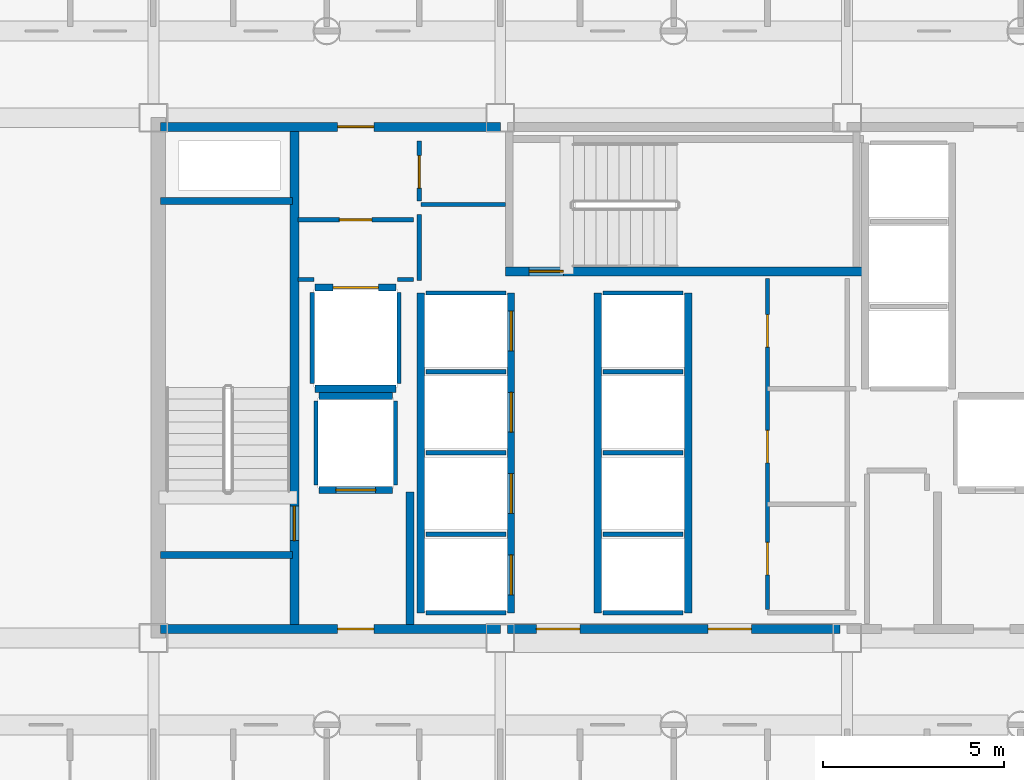
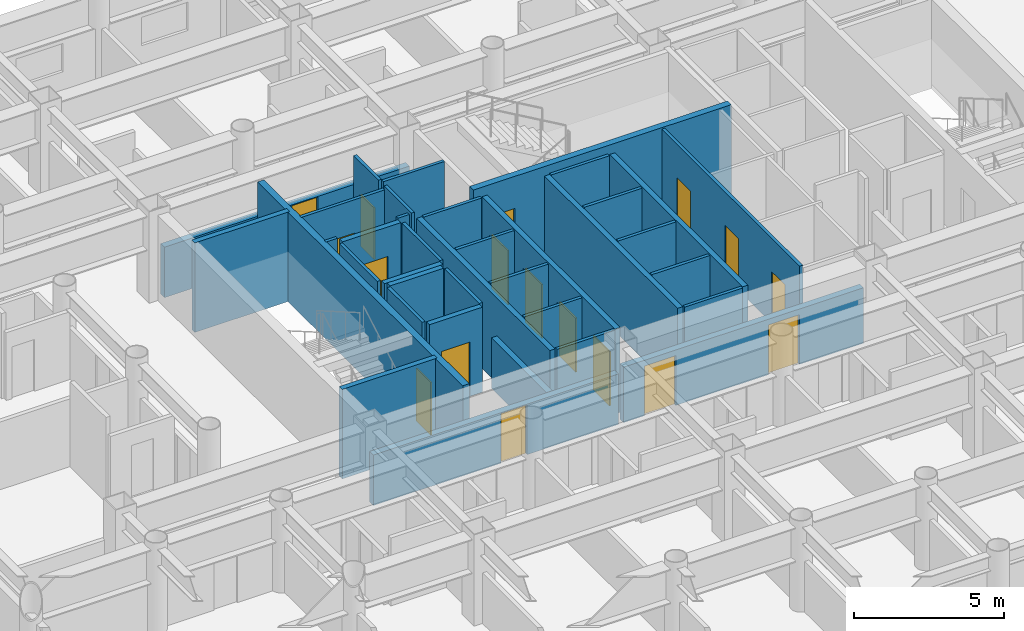
# One storey, part 16 of 21: 37 walls, 17 doors, 17 openings.
"""IFC4 building model written with IfcOpenShell, lengths in metres."""

from ifc_helpers import new_model, si_unit, direction, frame, frame_2d, origin, place, context, subcontext, project, spatial, rectangle, extrude, material, layer, layer_set, type_object, element, fill, save


model = new_model("IFC4")

# Units and contexts
model_context = context("Model", 3, precision=1e-05, world=origin(), true_north=direction((0.0, 1.0)))
body_context = subcontext(model_context, "Body", "Model", "MODEL_VIEW")
ifc_project = project(units=[si_unit("LENGTHUNIT", "METRE"), si_unit("AREAUNIT", "SQUARE_METRE"), si_unit("VOLUMEUNIT", "CUBIC_METRE"), si_unit("PLANEANGLEUNIT", "RADIAN"), si_unit("MASSUNIT", "GRAM", prefix="KILO")], contexts=[model_context])

# Site, building, storey
site_placement = place(None, origin())
site = spatial("IfcSite", under=ifc_project, at=site_placement, CompositionType="ELEMENT")
building_placement = place(site_placement, origin())
building = spatial("IfcBuilding", under=site, at=building_placement, Name="Kallvorn Hotel Tower", CompositionType="ELEMENT")
storey_placement = place(building_placement, frame((0.0, 0.0, 85.5)))
storey = spatial("IfcBuildingStorey", under=building, at=storey_placement, Name="L20", CompositionType="ELEMENT", Elevation=85.5)

# Walls
ifc_material_1 = material(Name="Concrete C40/50", Category="concrete")
ifc_layer_1 = layer(ifc_material_1, 0.219970703125)
ifc_layer_set_1 = layer_set([ifc_layer_1], Name="WL_FFL_220")
wall_type_1 = type_object("IfcWallType", Name="WL_FFL_220", PredefinedType="SOLIDWALL", material=ifc_layer_set_1)
wall_1_placement = place(storey_placement, frame((-7.300048828125, -6.820068359375, 0.0), z_axis=(0.0, 0.0, 1.0), x_axis=(0.0, 1.0, 0.0)))
element("IfcWall", 1, at=wall_1_placement, inside=storey, type_object=wall_type_1, Name="L20 Firefighting Lobby West Divider Wall", PredefinedType="SOLIDWALL", context=body_context, shape_type="SweptSolid", body=[
    extrude(rectangle(XDim=3.670166015625, YDim=0.219970703125, at=frame_2d((1.8349609375, 0.0))), origin(), (0.0, 0.0, 1.0), 2.050048828125),
])
ifc_material_2 = material(Name="Concrete C40/50", Category="concrete")
ifc_layer_2 = layer(ifc_material_2, 0.199951171875)
ifc_layer_set_2 = layer_set([ifc_layer_2], Name="WL_HOIST_200")
wall_type_2 = type_object("IfcWallType", Name="WL_HOIST_200", PredefinedType="SOLIDWALL", material=ifc_layer_set_2)
for number, where, z_axis, x_axis, name in (
    (2, (-14.199951171875, -4.89990234375, -0.179931640625), (0.0, 0.0, 1.0), (1.0, 0.0, 0.0), "L20 Stair ST1 South Wall"),
    (3, (-14.199951171875, 4.89990234375, -0.179931640625), (0.0, 0.0, 1.0), (1.0, 0.0, 0.0), "L20 Stair ST1 North Wall"),
):
    element("IfcWall", number, at=place(storey_placement, frame(where, z_axis=z_axis, x_axis=x_axis)), inside=storey, type_object=wall_type_2, Name=name, PredefinedType="SOLIDWALL", context=body_context, shape_type="SweptSolid", body=[
        extrude(rectangle(XDim=3.64990234375, YDim=0.199951171875, at=frame_2d((1.824951171875, 0.0))), origin(), (0.0, 0.0, 1.0), 3.6298828125),
    ])

# Wall, openings, doors
wall_2_placement = place(storey_placement, frame((-4.5, -6.5, 0.0), z_axis=(0.0, 0.0, 1.0), x_axis=(0.0, 1.0, 0.0)))
wall_2 = element("IfcWall", 4, at=wall_2_placement, inside=storey, type_object=wall_type_2, Name="L20 Lift Bank B1 Landing Wall", PredefinedType="SOLIDWALL", context=body_context, shape_type="SweptSolid", body=[
    extrude(rectangle(XDim=8.85009765625, YDim=0.199951171875, at=frame_2d((4.425048828125, 0.0))), origin(), (0.0, 0.0, 1.0), 3.449951171875),
])
opening_1_placement = place(wall_2_placement, frame((0.5, 0.0, 0.0)))
opening_1 = element("IfcOpeningElement", 5, at=opening_1_placement, cuts=wall_2, Name="Opening LD-PL-01", PredefinedType="OPENING", context=body_context, shape_type="SweptSolid", body=[
    extrude(rectangle(XDim=1.10009765625, YDim=2.199951171875, at=frame_2d((0.550048828125, 1.10009765625))), frame((0.0, 0.114990234375, 0.0), z_axis=(0.0, -1.0, 0.0), x_axis=(1.0, 0.0, 0.0)), (0.0, 0.0, 1.0), 0.22998046875),
])
opening_2_placement = place(wall_2_placement, frame((2.75, 0.0, 0.0)))
opening_2 = element("IfcOpeningElement", 6, at=opening_2_placement, cuts=wall_2, Name="Opening LD-PL-02", PredefinedType="OPENING", context=body_context, shape_type="SweptSolid", body=[
    extrude(rectangle(XDim=1.10009765625, YDim=2.199951171875, at=frame_2d((0.550048828125, 1.10009765625))), frame((0.0, 0.114990234375, 0.0), z_axis=(0.0, -1.0, 0.0), x_axis=(1.0, 0.0, 0.0)), (0.0, 0.0, 1.0), 0.22998046875),
])
opening_3_placement = place(wall_2_placement, frame((5.0, 0.0, 0.0)))
opening_3 = element("IfcOpeningElement", 7, at=opening_3_placement, cuts=wall_2, Name="Opening LD-PL-03", PredefinedType="OPENING", context=body_context, shape_type="SweptSolid", body=[
    extrude(rectangle(XDim=1.10009765625, YDim=2.199951171875, at=frame_2d((0.550048828125, 1.10009765625))), frame((0.0, 0.114990234375, 0.0), z_axis=(0.0, -1.0, 0.0), x_axis=(1.0, 0.0, 0.0)), (0.0, 0.0, 1.0), 0.22998046875),
])
opening_4_placement = place(wall_2_placement, frame((7.25, 0.0, 0.0)))
opening_4 = element("IfcOpeningElement", 8, at=opening_4_placement, cuts=wall_2, Name="Opening LD-PL-04", PredefinedType="OPENING", context=body_context, shape_type="SweptSolid", body=[
    extrude(rectangle(XDim=1.10009765625, YDim=2.199951171875, at=frame_2d((0.550048828125, 1.10009765625))), frame((0.0, 0.114990234375, 0.0), z_axis=(0.0, -1.0, 0.0), x_axis=(1.0, 0.0, 0.0)), (0.0, 0.0, 1.0), 0.22998046875),
])
ifc_material_3 = material(Name="Brushed stainless-steel automatic sliding lift landing door", Category="steel")
door_type_1 = type_object("IfcDoorType", Name="LD_PASS_1100x2200", OperationType="SLIDING_TO_LEFT", PredefinedType="DOOR", material=ifc_material_3)
door_1_placement = place(opening_1_placement, origin())
door_1 = element("IfcDoor", 9, at=door_1_placement, inside=storey, type_object=door_type_1, Name="L20 Lift Landing Sliding Door LD-PL-01", OperationType="SLIDING_TO_LEFT", OverallHeight=2.199951171875, OverallWidth=1.10009765625, PredefinedType="DOOR", context=body_context, shape_type="SweptSolid", body=[
    extrude(rectangle(XDim=1.10009765625, YDim=2.199951171875, at=frame_2d((0.550048828125, 1.10009765625))), frame((0.0, 0.02490234375, 0.0), z_axis=(0.0, -1.0, 0.0), x_axis=(1.0, 0.0, 0.0)), (0.0, 0.0, 1.0), 0.050048828125),
])
fill(opening_1, door_1)
door_2_placement = place(opening_2_placement, origin())
door_2 = element("IfcDoor", 10, at=door_2_placement, inside=storey, type_object=door_type_1, Name="L20 Lift Landing Sliding Door LD-PL-02", OperationType="SLIDING_TO_LEFT", OverallHeight=2.199951171875, OverallWidth=1.10009765625, PredefinedType="DOOR", context=body_context, shape_type="SweptSolid", body=[
    extrude(rectangle(XDim=1.10009765625, YDim=2.199951171875, at=frame_2d((0.550048828125, 1.10009765625))), frame((0.0, 0.02490234375, 0.0), z_axis=(0.0, -1.0, 0.0), x_axis=(1.0, 0.0, 0.0)), (0.0, 0.0, 1.0), 0.050048828125),
])
fill(opening_2, door_2)
door_3_placement = place(opening_3_placement, origin())
door_3 = element("IfcDoor", 11, at=door_3_placement, inside=storey, type_object=door_type_1, Name="L20 Lift Landing Sliding Door LD-PL-03", OperationType="SLIDING_TO_LEFT", OverallHeight=2.199951171875, OverallWidth=1.10009765625, PredefinedType="DOOR", context=body_context, shape_type="SweptSolid", body=[
    extrude(rectangle(XDim=1.10009765625, YDim=2.199951171875, at=frame_2d((0.550048828125, 1.10009765625))), frame((0.0, 0.02490234375, 0.0), z_axis=(0.0, -1.0, 0.0), x_axis=(1.0, 0.0, 0.0)), (0.0, 0.0, 1.0), 0.050048828125),
])
fill(opening_3, door_3)
door_4_placement = place(opening_4_placement, origin())
door_4 = element("IfcDoor", 12, at=door_4_placement, inside=storey, type_object=door_type_1, Name="L20 Lift Landing Sliding Door LD-PL-04", OperationType="SLIDING_TO_LEFT", OverallHeight=2.199951171875, OverallWidth=1.10009765625, PredefinedType="DOOR", context=body_context, shape_type="SweptSolid", body=[
    extrude(rectangle(XDim=1.10009765625, YDim=2.199951171875, at=frame_2d((0.550048828125, 1.10009765625))), frame((0.0, 0.02490234375, 0.0), z_axis=(0.0, -1.0, 0.0), x_axis=(1.0, 0.0, 0.0)), (0.0, 0.0, 1.0), 0.050048828125),
])
fill(opening_4, door_4)

# Walls
for number, where, z_axis, x_axis, name in (
    (13, (-7.0, -6.5, 0.0), (0.0, 0.0, 1.0), (0.0, 1.0, 0.0), "L20 Lift Bank B1 Rear Shaft Wall"),
    (14, (-2.10009765625, -6.5, 0.0), (0.0, 0.0, 1.0), (0.0, 1.0, 0.0), "L20 Lift Bank B2 Landing Wall"),
    (15, (0.39990234375, -6.5, 0.0), (0.0, 0.0, 1.0), (0.0, 1.0, 0.0), "L20 Lift Bank B2 Rear Shaft Wall"),
):
    element("IfcWall", number, at=place(storey_placement, frame(where, z_axis=z_axis, x_axis=x_axis)), inside=storey, type_object=wall_type_2, Name=name, PredefinedType="SOLIDWALL", context=body_context, shape_type="SweptSolid", body=[
        extrude(rectangle(XDim=8.85009765625, YDim=0.199951171875, at=frame_2d((4.425048828125, 0.0))), origin(), (0.0, 0.0, 1.0), 3.449951171875),
    ])

# Wall, opening, door
wall_3_placement = place(storey_placement, frame((-9.820068359375, -3.10009765625, 0.0), z_axis=(0.0, 0.0, 1.0), x_axis=(1.0, 0.0, 0.0)))
wall_3 = element("IfcWall", 16, at=wall_3_placement, inside=storey, type_object=wall_type_2, Name="L20 FL-1 Landing Wall", PredefinedType="SOLIDWALL", context=body_context, shape_type="SweptSolid", body=[
    extrude(rectangle(XDim=2.0400390625, YDim=0.199951171875, at=frame_2d((1.02001953125, 0.0))), origin(), (0.0, 0.0, 1.0), 3.449951171875),
])
opening_5_placement = place(wall_3_placement, frame((0.469970703125, 0.0, 0.0)))
opening_5 = element("IfcOpeningElement", 17, at=opening_5_placement, cuts=wall_3, Name="Opening LD-FL-1", PredefinedType="OPENING", context=body_context, shape_type="SweptSolid", body=[
    extrude(rectangle(XDim=1.10009765625, YDim=2.199951171875, at=frame_2d((0.550048828125, 1.10009765625))), frame((0.0, 0.114990234375, 0.0), z_axis=(0.0, -1.0, 0.0), x_axis=(1.0, 0.0, 0.0)), (0.0, 0.0, 1.0), 0.22998046875),
])
door_5_placement = place(opening_5_placement, origin())
door_5 = element("IfcDoor", 18, at=door_5_placement, inside=storey, type_object=door_type_1, Name="L20 Lift Landing Sliding Door LD-FL-1", OperationType="SLIDING_TO_LEFT", OverallHeight=2.199951171875, OverallWidth=1.10009765625, PredefinedType="DOOR", context=body_context, shape_type="SweptSolid", body=[
    extrude(rectangle(XDim=1.10009765625, YDim=2.199951171875, at=frame_2d((0.550048828125, 1.10009765625))), frame((0.0, 0.02490234375, 0.0), z_axis=(0.0, -1.0, 0.0), x_axis=(1.0, 0.0, 0.0)), (0.0, 0.0, 1.0), 0.050048828125),
])
fill(opening_5, door_5)

# Wall
wall_4_placement = place(storey_placement, frame((-9.820068359375, -0.5, 0.0), z_axis=(0.0, 0.0, 1.0), x_axis=(1.0, 0.0, 0.0)))
element("IfcWall", 19, at=wall_4_placement, inside=storey, type_object=wall_type_2, Name="L20 FL-1 Rear Shaft Wall", PredefinedType="SOLIDWALL", context=body_context, shape_type="SweptSolid", body=[
    extrude(rectangle(XDim=2.0400390625, YDim=0.199951171875, at=frame_2d((1.02001953125, 0.0))), origin(), (0.0, 0.0, 1.0), 3.449951171875),
])

# Wall, opening, door
wall_5_placement = place(storey_placement, frame((-9.919921875, 2.5, 0.0), z_axis=(0.0, 0.0, 1.0), x_axis=(1.0, 0.0, 0.0)))
wall_5 = element("IfcWall", 20, at=wall_5_placement, inside=storey, type_object=wall_type_2, Name="L20 SV-01 Landing Wall", PredefinedType="SOLIDWALL", context=body_context, shape_type="SweptSolid", body=[
    extrude(rectangle(XDim=2.239990234375, YDim=0.199951171875, at=frame_2d((1.1201171875, 0.0))), origin(), (0.0, 0.0, 1.0), 3.449951171875),
])
opening_6_placement = place(wall_5_placement, frame((0.4951171875, 0.0, 0.0)))
opening_6 = element("IfcOpeningElement", 21, at=opening_6_placement, cuts=wall_5, Name="Opening LD-SV-01", PredefinedType="OPENING", context=body_context, shape_type="SweptSolid", body=[
    extrude(rectangle(XDim=1.25, YDim=2.25, at=frame_2d((0.625, 1.125))), frame((0.0, 0.114990234375, 0.0), z_axis=(0.0, -1.0, 0.0), x_axis=(1.0, 0.0, 0.0)), (0.0, 0.0, 1.0), 0.22998046875),
])
ifc_material_4 = material(Name="Brushed stainless-steel automatic sliding lift landing door", Category="steel")
door_type_2 = type_object("IfcDoorType", Name="LD_SERV_1250x2250", OperationType="SLIDING_TO_LEFT", PredefinedType="DOOR", material=ifc_material_4)
door_6_placement = place(opening_6_placement, origin())
door_6 = element("IfcDoor", 22, at=door_6_placement, inside=storey, type_object=door_type_2, Name="L20 Lift Landing Sliding Door LD-SV-01", OperationType="SLIDING_TO_LEFT", OverallHeight=2.25, OverallWidth=1.25, PredefinedType="DOOR", context=body_context, shape_type="SweptSolid", body=[
    extrude(rectangle(XDim=1.25, YDim=2.25, at=frame_2d((0.625, 1.125))), frame((0.0, 0.02490234375, 0.0), z_axis=(0.0, -1.0, 0.0), x_axis=(1.0, 0.0, 0.0)), (0.0, 0.0, 1.0), 0.050048828125),
])
fill(opening_6, door_6)

# Walls
wall_6_placement = place(storey_placement, frame((-9.919921875, -0.300048828125, 0.0), z_axis=(0.0, 0.0, 1.0), x_axis=(1.0, 0.0, 0.0)))
element("IfcWall", 23, at=wall_6_placement, inside=storey, type_object=wall_type_2, Name="L20 SV-01 Rear Shaft Wall", PredefinedType="SOLIDWALL", context=body_context, shape_type="SweptSolid", body=[
    extrude(rectangle(XDim=2.239990234375, YDim=0.199951171875, at=frame_2d((1.1201171875, 0.0))), origin(), (0.0, 0.0, 1.0), 3.449951171875),
])
ifc_material_5 = material(Name="Fire-rated double-layer acoustic gypsum drywall EI 60")
ifc_layer_3 = layer(ifc_material_5, 0.1201171875)
ifc_layer_set_3 = layer_set([ifc_layer_3], Name="WL_INT_120")
wall_type_3 = type_object("IfcWallType", Name="WL_INT_120", PredefinedType="PARTITIONING", material=ifc_layer_set_3)
for number, where, z_axis, x_axis, name in (
    (24, (-6.860107421875, -6.5, 0.0), (0.0, 0.0, 1.0), (1.0, 0.0, 0.0), "L20 Lift Bank B1 South Closure Wall"),
    (25, (-6.860107421875, -4.324951171875, 0.0), (0.0, 0.0, 1.0), (1.0, 0.0, 0.0), "L20 PL-01 Hoistway Divider"),
    (26, (-6.860107421875, -2.074951171875, 0.0), (0.0, 0.0, 1.0), (1.0, 0.0, 0.0), "L20 PL-02 Hoistway Divider"),
    (27, (-6.860107421875, 0.175048828125, 0.0), (0.0, 0.0, 1.0), (1.0, 0.0, 0.0), "L20 PL-03 Hoistway Divider"),
    (28, (-6.860107421875, 2.35009765625, 0.0), (0.0, 0.0, 1.0), (1.0, 0.0, 0.0), "L20 PL-04 Hoistway Divider"),
):
    element("IfcWall", number, at=place(storey_placement, frame(where, z_axis=z_axis, x_axis=x_axis)), inside=storey, type_object=wall_type_3, Name=name, PredefinedType="PARTITIONING", context=body_context, shape_type="SweptSolid", body=[
        extrude(rectangle(XDim=2.22021484375, YDim=0.1201171875, at=frame_2d((1.110107421875, 0.0))), origin(), (0.0, 0.0, 1.0), 3.449951171875),
    ])
for number, where, z_axis, x_axis, name in (
    (29, (-1.9599609375, -6.5, 0.0), (0.0, 0.0, 1.0), (1.0, 0.0, 0.0), "L20 Lift Bank B2 South Closure Wall"),
    (30, (-1.9599609375, -4.324951171875, 0.0), (0.0, 0.0, 1.0), (1.0, 0.0, 0.0), "L20 PL-05 Hoistway Divider"),
    (31, (-1.9599609375, -2.074951171875, 0.0), (0.0, 0.0, 1.0), (1.0, 0.0, 0.0), "L20 PL-06 Hoistway Divider"),
    (32, (-1.9599609375, 0.175048828125, 0.0), (0.0, 0.0, 1.0), (1.0, 0.0, 0.0), "L20 PL-07 Hoistway Divider"),
    (33, (-1.9599609375, 2.35009765625, 0.0), (0.0, 0.0, 1.0), (1.0, 0.0, 0.0), "L20 PL-08 Hoistway Divider"),
):
    element("IfcWall", number, at=place(storey_placement, frame(where, z_axis=z_axis, x_axis=x_axis)), inside=storey, type_object=wall_type_3, Name=name, PredefinedType="PARTITIONING", context=body_context, shape_type="SweptSolid", body=[
        extrude(rectangle(XDim=2.219970703125, YDim=0.1201171875, at=frame_2d((1.10986328125, 0.0))), origin(), (0.0, 0.0, 1.0), 3.449951171875),
    ])
for number, where, z_axis, x_axis, name in (
    (34, (-9.89990234375, -2.9599609375, 0.0), (0.0, 0.0, 1.0), (0.0, 1.0, 0.0), "L20 FL-1 West Shaft Wall"),
    (35, (-7.699951171875, -2.9599609375, 0.0), (0.0, 0.0, 1.0), (0.0, 1.0, 0.0), "L20 FL-1 East Shaft Wall"),
):
    element("IfcWall", number, at=place(storey_placement, frame(where, z_axis=z_axis, x_axis=x_axis)), inside=storey, type_object=wall_type_3, Name=name, PredefinedType="PARTITIONING", context=body_context, shape_type="SweptSolid", body=[
        extrude(rectangle(XDim=2.320068359375, YDim=0.1201171875, at=frame_2d((1.16015625, 0.0))), origin(), (0.0, 0.0, 1.0), 3.449951171875),
    ])
for number, where, z_axis, x_axis, name in (
    (36, (-10.0, -0.159912109375, 0.0), (0.0, 0.0, 1.0), (0.0, 1.0, 0.0), "L20 SV-01 West Shaft Wall"),
    (37, (-7.60009765625, -0.159912109375, 0.0), (0.0, 0.0, 1.0), (0.0, 1.0, 0.0), "L20 SV-01 East Shaft Wall"),
):
    element("IfcWall", number, at=place(storey_placement, frame(where, z_axis=z_axis, x_axis=x_axis)), inside=storey, type_object=wall_type_3, Name=name, PredefinedType="PARTITIONING", context=body_context, shape_type="SweptSolid", body=[
        extrude(rectangle(XDim=2.52001953125, YDim=0.1201171875, at=frame_2d((1.260009765625, 0.0))), origin(), (0.0, 0.0, 1.0), 3.449951171875),
    ])
for number, where, z_axis, x_axis, name in (
    (38, (-10.39990234375, 2.72509765625, 0.0), (0.0, 0.0, 1.0), (1.0, 0.0, 0.0), "L20 Core Telecom and Metering Store Partition"),
    (39, (-7.639892578125, 2.72509765625, 0.0), (0.0, 0.0, 1.0), (1.0, 0.0, 0.0), "L20 Core Telecom and Metering Store Partition"),
):
    element("IfcWall", number, at=place(storey_placement, frame(where, z_axis=z_axis, x_axis=x_axis)), inside=storey, type_object=wall_type_3, Name=name, PredefinedType="PARTITIONING", context=body_context, shape_type="SweptSolid", body=[
        extrude(rectangle(XDim=0.43994140625, YDim=0.1201171875, at=frame_2d((0.219970703125, 0.0))), origin(), (0.0, 0.0, 1.0), 3.449951171875),
    ])

# Wall, opening, door
wall_7_placement = place(storey_placement, frame((-10.39990234375, 4.373291015625, 0.0), z_axis=(0.0, 0.0, 1.0), x_axis=(1.0, 0.0, 0.0)))
wall_7 = element("IfcWall", 40, at=wall_7_placement, inside=storey, type_object=wall_type_3, Name="L20 Core Telecom and Metering Store Partition", PredefinedType="PARTITIONING", context=body_context, shape_type="SweptSolid", body=[
    extrude(rectangle(XDim=3.199951171875, YDim=0.1201171875, at=frame_2d((1.60009765625, 0.0))), origin(), (0.0, 0.0, 1.0), 3.449951171875),
])
opening_7_placement = place(wall_7_placement, frame((1.14990234375, 0.0, 0.0)))
opening_7 = element("IfcOpeningElement", 41, at=opening_7_placement, cuts=wall_7, Name="Opening SVD1", PredefinedType="OPENING", context=body_context, shape_type="SweptSolid", body=[
    extrude(rectangle(XDim=0.89990234375, YDim=2.10009765625, at=frame_2d((0.449951171875, 1.050048828125))), frame((0.0, 0.074951171875, 0.0), z_axis=(0.0, -1.0, 0.0), x_axis=(1.0, 0.0, 0.0)), (0.0, 0.0, 1.0), 0.150146484375),
])
ifc_material_6 = material(Name="Galvanised painted steel fire-rated door assembly", Category="steel")
door_type_3 = type_object("IfcDoorType", Name="DR_SERV_900x2100", OperationType="NOTDEFINED", PredefinedType="DOOR", material=ifc_material_6)
door_7_placement = place(opening_7_placement, origin())
door_7 = element("IfcDoor", 42, at=door_7_placement, inside=storey, type_object=door_type_3, Name="L20 Core Telecom and Metering Store Door", OperationType="SINGLE_SWING_RIGHT", OverallHeight=2.10009765625, OverallWidth=0.89990234375, PredefinedType="DOOR", context=body_context, shape_type="SweptSolid", body=[
    extrude(rectangle(XDim=0.89990234375, YDim=2.10009765625, at=frame_2d((0.449951171875, 1.050048828125))), frame((0.0, 0.02490234375, 0.0), z_axis=(0.0, -1.0, 0.0), x_axis=(1.0, 0.0, 0.0)), (0.0, 0.0, 1.0), 0.050048828125),
])
fill(opening_7, door_7)

# Walls
wall_8_placement = place(storey_placement, frame((-7.0, 4.800048828125, 0.0), z_axis=(0.0, 0.0, 1.0), x_axis=(1.0, 0.0, 0.0)))
element("IfcWall", 43, at=wall_8_placement, inside=storey, type_object=wall_type_3, Name="L20 Core Room Service Staging Pantry Partition", PredefinedType="PARTITIONING", context=body_context, shape_type="SweptSolid", body=[
    extrude(rectangle(XDim=2.35009765625, YDim=0.1201171875, at=frame_2d((1.175048828125, 0.0))), origin(), (0.0, 0.0, 1.0), 3.449951171875),
])
wall_9_placement = place(storey_placement, frame((-7.0400390625, 2.699951171875, 0.0), z_axis=(0.0, 0.0, 1.0), x_axis=(0.0, 1.0, 0.0)))
element("IfcWall", 44, at=wall_9_placement, inside=storey, type_object=wall_type_3, Name="L20 Core Telecom and Metering Store Partition", PredefinedType="PARTITIONING", context=body_context, shape_type="SweptSolid", body=[
    extrude(rectangle(XDim=1.820068359375, YDim=0.1201171875, at=frame_2d((0.91015625, 0.0))), origin(), (0.0, 0.0, 1.0), 3.449951171875),
])

# Wall, opening, door
wall_10_placement = place(storey_placement, frame((-7.0400390625, 4.89990234375, 0.0), z_axis=(0.0, 0.0, 1.0), x_axis=(0.0, 1.0, 0.0)))
wall_10 = element("IfcWall", 45, at=wall_10_placement, inside=storey, type_object=wall_type_3, Name="L20 Core Room Service Staging Pantry Partition", PredefinedType="PARTITIONING", context=body_context, shape_type="SweptSolid", body=[
    extrude(rectangle(XDim=1.650146484375, YDim=0.1201171875, at=frame_2d((0.8251953125, 0.0))), origin(), (0.0, 0.0, 1.0), 3.449951171875),
])
opening_8_placement = place(wall_10_placement, frame((0.35009765625, 0.0, 0.0)))
opening_8 = element("IfcOpeningElement", 46, at=opening_8_placement, cuts=wall_10, Name="Opening SVD1", PredefinedType="OPENING", context=body_context, shape_type="SweptSolid", body=[
    extrude(rectangle(XDim=0.89990234375, YDim=2.10009765625, at=frame_2d((0.449951171875, 1.050048828125))), frame((0.0, 0.074951171875, 0.0), z_axis=(0.0, -1.0, 0.0), x_axis=(1.0, 0.0, 0.0)), (0.0, 0.0, 1.0), 0.150146484375),
])
door_8_placement = place(opening_8_placement, origin())
door_8 = element("IfcDoor", 47, at=door_8_placement, inside=storey, type_object=door_type_3, Name="L20 Core Room Service Staging Pantry Door", OperationType="SINGLE_SWING_RIGHT", OverallHeight=2.10009765625, OverallWidth=0.89990234375, PredefinedType="DOOR", context=body_context, shape_type="SweptSolid", body=[
    extrude(rectangle(XDim=0.89990234375, YDim=2.10009765625, at=frame_2d((0.449951171875, 1.050048828125))), frame((0.0, 0.02490234375, 0.0), z_axis=(0.0, -1.0, 0.0), x_axis=(1.0, 0.0, 0.0)), (0.0, 0.0, 1.0), 0.050048828125),
])
fill(opening_8, door_8)

# Wall, openings, doors
wall_11_placement = place(storey_placement, frame((2.59423828125, -6.4150390625, 0.0), z_axis=(0.0, 0.0, 1.0), x_axis=(0.0, 1.0, 0.0)))
wall_11 = element("IfcWall", 48, at=wall_11_placement, inside=storey, type_object=wall_type_3, Name="L20 East Core Minibar Store Partition", PredefinedType="PARTITIONING", context=body_context, shape_type="SweptSolid", body=[
    extrude(rectangle(XDim=9.1650390625, YDim=0.1201171875, at=frame_2d((4.58251953125, 0.0))), origin(), (0.0, 0.0, 1.0), 3.449951171875),
])
opening_9_placement = place(wall_11_placement, frame((0.965087890625, 0.0, 0.0)))
opening_9 = element("IfcOpeningElement", 49, at=opening_9_placement, cuts=wall_11, Name="Opening SVD1", PredefinedType="OPENING", context=body_context, shape_type="SweptSolid", body=[
    extrude(rectangle(XDim=0.89990234375, YDim=2.10009765625, at=frame_2d((0.449951171875, 1.050048828125))), frame((0.0, 0.074951171875, 0.0), z_axis=(0.0, -1.0, 0.0), x_axis=(1.0, 0.0, 0.0)), (0.0, 0.0, 1.0), 0.150146484375),
])
opening_10_placement = place(wall_11_placement, frame((4.06494140625, 0.0, 0.0)))
opening_10 = element("IfcOpeningElement", 50, at=opening_10_placement, cuts=wall_11, Name="Opening SVD1", PredefinedType="OPENING", context=body_context, shape_type="SweptSolid", body=[
    extrude(rectangle(XDim=0.89990234375, YDim=2.10009765625, at=frame_2d((0.449951171875, 1.050048828125))), frame((0.0, 0.074951171875, 0.0), z_axis=(0.0, -1.0, 0.0), x_axis=(1.0, 0.0, 0.0)), (0.0, 0.0, 1.0), 0.150146484375),
])
opening_11_placement = place(wall_11_placement, frame((7.264892578125, 0.0, 0.0)))
opening_11 = element("IfcOpeningElement", 51, at=opening_11_placement, cuts=wall_11, Name="Opening SVD1", PredefinedType="OPENING", context=body_context, shape_type="SweptSolid", body=[
    extrude(rectangle(XDim=0.89990234375, YDim=2.10009765625, at=frame_2d((0.449951171875, 1.050048828125))), frame((0.0, 0.074951171875, 0.0), z_axis=(0.0, -1.0, 0.0), x_axis=(1.0, 0.0, 0.0)), (0.0, 0.0, 1.0), 0.150146484375),
])
door_9_placement = place(opening_9_placement, origin())
door_9 = element("IfcDoor", 52, at=door_9_placement, inside=storey, type_object=door_type_3, Name="L20 East Core Minibar Store Door", OperationType="SINGLE_SWING_RIGHT", OverallHeight=2.10009765625, OverallWidth=0.89990234375, PredefinedType="DOOR", context=body_context, shape_type="SweptSolid", body=[
    extrude(rectangle(XDim=0.89990234375, YDim=2.10009765625, at=frame_2d((0.449951171875, 1.050048828125))), frame((0.0, 0.02490234375, 0.0), z_axis=(0.0, -1.0, 0.0), x_axis=(1.0, 0.0, 0.0)), (0.0, 0.0, 1.0), 0.050048828125),
])
fill(opening_9, door_9)
door_10_placement = place(opening_10_placement, origin())
door_10 = element("IfcDoor", 53, at=door_10_placement, inside=storey, type_object=door_type_3, Name="L20 East Core Housekeeping Supply Closet Door", OperationType="SINGLE_SWING_LEFT", OverallHeight=2.10009765625, OverallWidth=0.89990234375, PredefinedType="DOOR", context=body_context, shape_type="SweptSolid", body=[
    extrude(rectangle(XDim=0.89990234375, YDim=2.10009765625, at=frame_2d((0.449951171875, 1.050048828125))), frame((0.0, 0.02490234375, 0.0), z_axis=(0.0, -1.0, 0.0), x_axis=(1.0, 0.0, 0.0)), (0.0, 0.0, 1.0), 0.050048828125),
])
fill(opening_10, door_10)
door_11_placement = place(opening_11_placement, origin())
door_11 = element("IfcDoor", 54, at=door_11_placement, inside=storey, type_object=door_type_3, Name="L20 East Core Cleaners Room Door", OperationType="SINGLE_SWING_LEFT", OverallHeight=2.10009765625, OverallWidth=0.89990234375, PredefinedType="DOOR", context=body_context, shape_type="SweptSolid", body=[
    extrude(rectangle(XDim=0.89990234375, YDim=2.10009765625, at=frame_2d((0.449951171875, 1.050048828125))), frame((0.0, 0.02490234375, 0.0), z_axis=(0.0, -1.0, 0.0), x_axis=(1.0, 0.0, 0.0)), (0.0, 0.0, 1.0), 0.050048828125),
])
fill(opening_11, door_11)

# Wall, opening, door
ifc_material_7 = material(Name="Concrete C40/50", Category="concrete")
ifc_layer_4 = layer(ifc_material_7, 0.25)
ifc_layer_set_4 = layer_set([ifc_layer_4], Name="WL_SHAFT_250")
wall_type_4 = type_object("IfcWallType", Name="WL_SHAFT_250", PredefinedType="SOLIDWALL", material=ifc_layer_set_4)
wall_12_placement = place(storey_placement, frame((-14.199951171875, -6.949951171875, 0.0), z_axis=(0.0, 0.0, 1.0), x_axis=(1.0, 0.0, 0.0)))
wall_12 = element("IfcWall", 55, at=wall_12_placement, inside=storey, type_object=wall_type_4, Name="L20 Core South-West Wall", PredefinedType="SOLIDWALL", context=body_context, shape_type="SweptSolid", body=[
    extrude(rectangle(XDim=9.39990234375, YDim=0.25, at=frame_2d((4.699951171875, 0.0))), origin(), (0.0, 0.0, 1.0), 2.050048828125),
])
opening_12_placement = place(wall_12_placement, frame((4.89990234375, 0.0, 0.0)))
opening_12 = element("IfcOpeningElement", 56, at=opening_12_placement, cuts=wall_12, Name="Opening FD1A", PredefinedType="OPENING", context=body_context, shape_type="SweptSolid", body=[
    extrude(rectangle(XDim=1.0, YDim=2.02001953125, at=frame_2d((0.5, 1.010009765625))), frame((0.0, 0.139892578125, 0.0), z_axis=(0.0, -1.0, 0.0), x_axis=(1.0, 0.0, 0.0)), (0.0, 0.0, 1.0), 0.280029296875),
])
ifc_material_8 = material(Name="Galvanised painted steel fire-rated door assembly", Category="steel")
door_type_4 = type_object("IfcDoorType", Name="DR_FFL_1000x2020", OperationType="NOTDEFINED", PredefinedType="DOOR", material=ifc_material_8)
door_12_placement = place(opening_12_placement, origin())
door_12 = element("IfcDoor", 57, at=door_12_placement, inside=storey, type_object=door_type_4, Name="L20 Firefighting Lobby West Door", OperationType="SINGLE_SWING_LEFT", OverallHeight=2.02001953125, OverallWidth=1.0, PredefinedType="DOOR", context=body_context, shape_type="SweptSolid", body=[
    extrude(rectangle(XDim=1.0, YDim=2.02001953125, at=frame_2d((0.5, 1.010009765625))), frame((0.0, 0.02490234375, 0.0), z_axis=(0.0, -1.0, 0.0), x_axis=(1.0, 0.0, 0.0)), (0.0, 0.0, 1.0), 0.050048828125),
])
fill(opening_12, door_12)

# Wall, openings, doors
wall_13_placement = place(storey_placement, frame((-4.60009765625, -6.949951171875, 0.0), z_axis=(0.0, 0.0, 1.0), x_axis=(1.0, 0.0, 0.0)))
wall_13 = element("IfcWall", 58, at=wall_13_placement, inside=storey, type_object=wall_type_4, Name="L20 Core South-Central Wall", PredefinedType="SOLIDWALL", context=body_context, shape_type="SweptSolid", body=[
    extrude(rectangle(XDim=9.2001953125, YDim=0.25, at=frame_2d((4.60009765625, 0.0))), origin(), (0.0, 0.0, 1.0), 2.25),
])
opening_13_placement = place(wall_13_placement, frame((0.800048828125, 0.0, 0.0)))
opening_13 = element("IfcOpeningElement", 59, at=opening_13_placement, cuts=wall_13, Name="Opening FD2A", PredefinedType="OPENING", context=body_context, shape_type="SweptSolid", body=[
    extrude(rectangle(XDim=1.199951171875, YDim=2.02001953125, at=frame_2d((0.60009765625, 1.010009765625))), frame((0.0, 0.139892578125, 0.0), z_axis=(0.0, -1.0, 0.0), x_axis=(1.0, 0.0, 0.0)), (0.0, 0.0, 1.0), 0.280029296875),
])
opening_14_placement = place(wall_13_placement, frame((5.550048828125, 0.0, 0.0)))
opening_14 = element("IfcOpeningElement", 60, at=opening_14_placement, cuts=wall_13, Name="Opening FD2A", PredefinedType="OPENING", context=body_context, shape_type="SweptSolid", body=[
    extrude(rectangle(XDim=1.199951171875, YDim=2.02001953125, at=frame_2d((0.60009765625, 1.010009765625))), frame((0.0, 0.139892578125, 0.0), z_axis=(0.0, -1.0, 0.0), x_axis=(1.0, 0.0, 0.0)), (0.0, 0.0, 1.0), 0.280029296875),
])
ifc_material_9 = material(Name="Galvanised painted steel fire-rated door assembly", Category="steel")
door_type_5 = type_object("IfcDoorType", Name="DR_LOBBY_1200x2020", OperationType="DOUBLE_DOOR_SINGLE_SWING", PredefinedType="DOOR", material=ifc_material_9)
door_13_placement = place(opening_13_placement, origin())
door_13 = element("IfcDoor", 61, at=door_13_placement, inside=storey, type_object=door_type_5, Name="L20 West Passenger Lift Lobby Door", OperationType="DOUBLE_DOOR_SINGLE_SWING", OverallHeight=2.02001953125, OverallWidth=1.199951171875, PredefinedType="DOOR", context=body_context, shape_type="SweptSolid", body=[
    extrude(rectangle(XDim=1.199951171875, YDim=2.02001953125, at=frame_2d((0.60009765625, 1.010009765625))), frame((0.0, 0.02490234375, 0.0), z_axis=(0.0, -1.0, 0.0), x_axis=(1.0, 0.0, 0.0)), (0.0, 0.0, 1.0), 0.050048828125),
])
fill(opening_13, door_13)
door_14_placement = place(opening_14_placement, origin())
door_14 = element("IfcDoor", 62, at=door_14_placement, inside=storey, type_object=door_type_5, Name="L20 East Passenger Lift Lobby Door", OperationType="DOUBLE_DOOR_SINGLE_SWING", OverallHeight=2.02001953125, OverallWidth=1.199951171875, PredefinedType="DOOR", context=body_context, shape_type="SweptSolid", body=[
    extrude(rectangle(XDim=1.199951171875, YDim=2.02001953125, at=frame_2d((0.60009765625, 1.010009765625))), frame((0.0, 0.02490234375, 0.0), z_axis=(0.0, -1.0, 0.0), x_axis=(1.0, 0.0, 0.0)), (0.0, 0.0, 1.0), 0.050048828125),
])
fill(opening_14, door_14)

# Wall, opening, door
wall_14_placement = place(storey_placement, frame((-14.199951171875, 6.949951171875, 0.0), z_axis=(0.0, 0.0, 1.0), x_axis=(1.0, 0.0, 0.0)))
wall_14 = element("IfcWall", 63, at=wall_14_placement, inside=storey, type_object=wall_type_4, Name="L20 Core North-West Wall", PredefinedType="SOLIDWALL", context=body_context, shape_type="SweptSolid", body=[
    extrude(rectangle(XDim=9.39990234375, YDim=0.25, at=frame_2d((4.699951171875, 0.0))), origin(), (0.0, 0.0, 1.0), 2.050048828125),
])
opening_15_placement = place(wall_14_placement, frame((4.89990234375, 0.0, 0.0)))
opening_15 = element("IfcOpeningElement", 64, at=opening_15_placement, cuts=wall_14, Name="Opening FD1A", PredefinedType="OPENING", context=body_context, shape_type="SweptSolid", body=[
    extrude(rectangle(XDim=1.0, YDim=2.02001953125, at=frame_2d((0.5, 1.010009765625))), frame((0.0, 0.139892578125, 0.0), z_axis=(0.0, -1.0, 0.0), x_axis=(1.0, 0.0, 0.0)), (0.0, 0.0, 1.0), 0.280029296875),
])
door_15_placement = place(opening_15_placement, origin())
door_15 = element("IfcDoor", 65, at=door_15_placement, inside=storey, type_object=door_type_4, Name="L20 Service Lift Lobby Door", OperationType="SINGLE_SWING_RIGHT", OverallHeight=2.02001953125, OverallWidth=1.0, PredefinedType="DOOR", context=body_context, shape_type="SweptSolid", body=[
    extrude(rectangle(XDim=1.0, YDim=2.02001953125, at=frame_2d((0.5, 1.010009765625))), frame((0.0, 0.02490234375, 0.0), z_axis=(0.0, -1.0, 0.0), x_axis=(1.0, 0.0, 0.0)), (0.0, 0.0, 1.0), 0.050048828125),
])
fill(opening_15, door_15)

wall_15_placement = place(storey_placement, frame((-10.5, -6.820068359375, -0.179931640625), z_axis=(0.0, 0.0, 1.0), x_axis=(0.0, 1.0, 0.0)))
wall_15 = element("IfcWall", 66, at=wall_15_placement, inside=storey, type_object=wall_type_4, Name="L20 Stair ST1 Shaft Wall", PredefinedType="SOLIDWALL", context=body_context, shape_type="SweptSolid", body=[
    extrude(rectangle(XDim=13.64013671875, YDim=0.25, at=frame_2d((6.820068359375, 0.0))), origin(), (0.0, 0.0, 1.0), 3.6298828125),
])
opening_16_placement = place(wall_15_placement, frame((2.320068359375, 0.0, 0.179931640625)))
opening_16 = element("IfcOpeningElement", 67, at=opening_16_placement, cuts=wall_15, Name="Opening SD1", PredefinedType="OPENING", context=body_context, shape_type="SweptSolid", body=[
    extrude(rectangle(XDim=0.949951171875, YDim=2.14990234375, at=frame_2d((0.47509765625, 1.074951171875))), frame((0.0, 0.139892578125, 0.0), z_axis=(0.0, -1.0, 0.0), x_axis=(1.0, 0.0, 0.0)), (0.0, 0.0, 1.0), 0.280029296875),
])
ifc_material_10 = material(Name="Galvanised painted steel fire-rated door assembly", Category="steel")
door_type_6 = type_object("IfcDoorType", Name="DR_STAIR_950x2150", OperationType="NOTDEFINED", PredefinedType="DOOR", material=ifc_material_10)
door_16_placement = place(opening_16_placement, origin())
door_16 = element("IfcDoor", 68, at=door_16_placement, inside=storey, type_object=door_type_6, Name="L20 Exit Stair ST1 Fire Door", OperationType="SINGLE_SWING_RIGHT", OverallHeight=2.14990234375, OverallWidth=0.949951171875, PredefinedType="DOOR", context=body_context, shape_type="SweptSolid", body=[
    extrude(rectangle(XDim=0.949951171875, YDim=2.14990234375, at=frame_2d((0.47509765625, 1.074951171875))), frame((0.0, 0.02490234375, 0.0), z_axis=(0.0, -1.0, 0.0), x_axis=(1.0, 0.0, 0.0)), (0.0, 0.0, 1.0), 0.050048828125),
])
fill(opening_16, door_16)

wall_16_placement = place(storey_placement, frame((-4.64990234375, 2.949951171875, -0.179931640625), z_axis=(0.0, 0.0, 1.0), x_axis=(1.0, 0.0, 0.0)))
wall_16 = element("IfcWall", 69, at=wall_16_placement, inside=storey, type_object=wall_type_4, Name="L20 Stair ST3 Shaft South Wall", PredefinedType="SOLIDWALL", context=body_context, shape_type="SweptSolid", body=[
    extrude(rectangle(XDim=9.89990234375, YDim=0.25, at=frame_2d((4.949951171875, 0.0))), origin(), (0.0, 0.0, 1.0), 3.6298828125),
])
opening_17_placement = place(wall_16_placement, frame((0.64990234375, 0.0, 0.179931640625)))
opening_17 = element("IfcOpeningElement", 70, at=opening_17_placement, cuts=wall_16, Name="Opening SD1", PredefinedType="OPENING", context=body_context, shape_type="SweptSolid", body=[
    extrude(rectangle(XDim=0.949951171875, YDim=2.14990234375, at=frame_2d((0.47509765625, 1.074951171875))), frame((0.0, 0.139892578125, 0.0), z_axis=(0.0, -1.0, 0.0), x_axis=(1.0, 0.0, 0.0)), (0.0, 0.0, 1.0), 0.280029296875),
])
door_17_placement = place(opening_17_placement, origin())
door_17 = element("IfcDoor", 71, at=door_17_placement, inside=storey, type_object=door_type_6, Name="L20 Exit Stair ST3 Fire Door", OperationType="SINGLE_SWING_RIGHT", OverallHeight=2.14990234375, OverallWidth=0.949951171875, PredefinedType="DOOR", context=body_context, shape_type="SweptSolid", body=[
    extrude(rectangle(XDim=0.949951171875, YDim=2.14990234375, at=frame_2d((0.47509765625, 1.074951171875))), frame((0.0, 0.02490234375, 0.0), z_axis=(0.0, -1.0, 0.0), x_axis=(1.0, 0.0, 0.0)), (0.0, 0.0, 1.0), 0.050048828125),
])
fill(opening_17, door_17)

save(model, "model.ifc")
